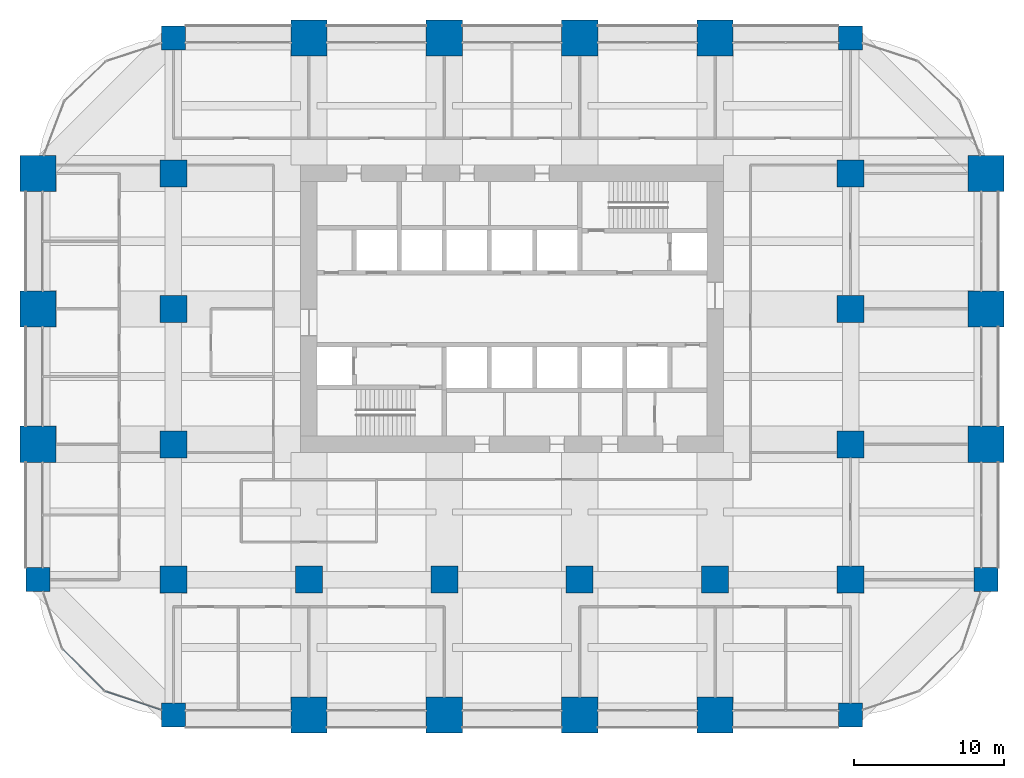
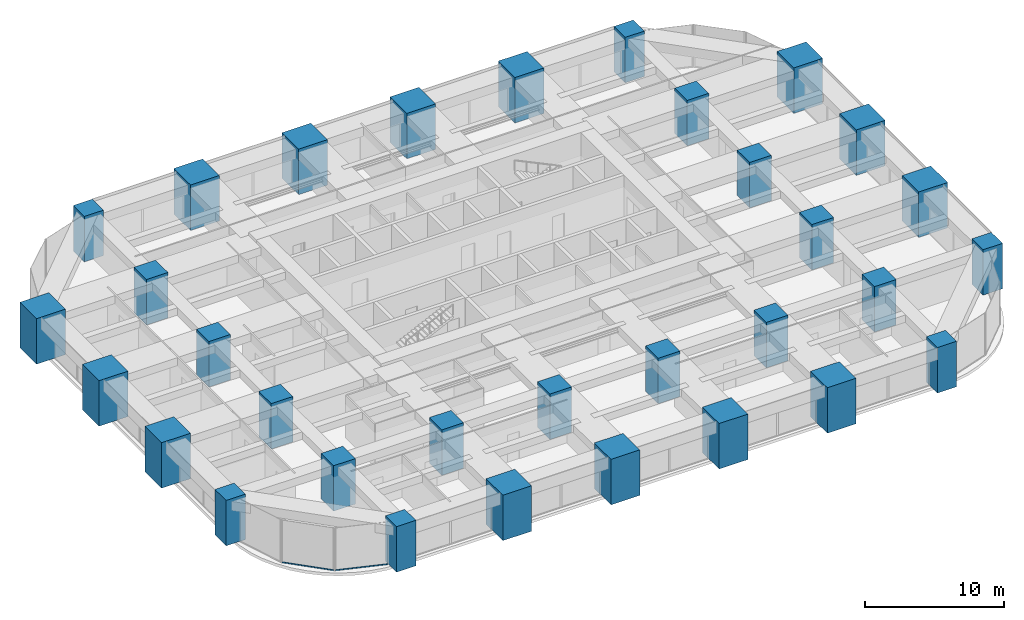
# One storey, part 1 of 43: 32 columns, 2 members, 2 elements without a shape of their own.
"""IFC4 building model written with IfcOpenShell, lengths in metres."""

from ifc_helpers import new_model, si_unit, direction, frame, origin, origin_2d, place, context, subcontext, project, spatial, rectangle, hollow_rectangle, extrude, material, material_profile, profile_set, type_object, element, aggregate, save


model = new_model("IFC4")

# Units and contexts
model_context = context("Model", 3, precision=1e-05, world=origin(), true_north=direction((0.0, 1.0)))
body_context = subcontext(model_context, "Body", "Model", "MODEL_VIEW")
ifc_project = project(units=[si_unit("LENGTHUNIT", "METRE"), si_unit("AREAUNIT", "SQUARE_METRE"), si_unit("VOLUMEUNIT", "CUBIC_METRE"), si_unit("PLANEANGLEUNIT", "RADIAN"), si_unit("MASSUNIT", "GRAM", prefix="KILO")], contexts=[model_context])

# Site, building, storey
site_placement = place(None, origin())
site = spatial("IfcSite", under=ifc_project, at=site_placement, CompositionType="ELEMENT")
building_placement = place(site_placement, origin())
building = spatial("IfcBuilding", under=site, at=building_placement, Name="Zorevar Civic Tower", CompositionType="ELEMENT")
storey_placement = place(building_placement, frame((0.0, 0.0, 145.0)))
storey = spatial("IfcBuildingStorey", under=building, at=storey_placement, Name="L35", CompositionType="ELEMENT", Elevation=145.0)

# Columns
ifc_material_1 = material(Name="Concrete C50/60", Category="concrete")
ifc_material_profile_1 = material_profile(ifc_material_1, rectangle(XDim=1.60009765625, YDim=1.60009765625, at=origin_2d()), Name="RC 1600x1600")
ifc_profile_set_1 = profile_set([ifc_material_profile_1], Name="Concrete C50/60")
column_type_1 = type_object("IfcColumnType", Name="Column RC 1600x1600", PredefinedType="COLUMN", material=ifc_profile_set_1)
for number, where, z_axis, x_axis, name in (
    (1, (0.0, 9.0, 0.0), (0.0, 0.0, 1.0), (1.0, 0.0, 0.0), "Column 2B L35"),
    (2, (9.0, 0.0, 0.0), (0.0, 0.0, 1.0), (1.0, 0.0, 0.0), "Column 3A L35"),
    (3, (9.0, 45.0, 0.0), (0.0, 0.0, 1.0), (1.0, 0.0, 0.0), "Column 3F L35"),
    (4, (54.0, 0.0, 0.0), (0.0, 0.0, 1.0), (1.0, 0.0, 0.0), "Column 8A L35"),
    (5, (54.0, 45.0, 0.0), (0.0, 0.0, 1.0), (1.0, 0.0, 0.0), "Column 8F L35"),
    (6, (63.0, 9.0, 0.0), (0.0, 0.0, 1.0), (1.0, 0.0, 0.0), "Column 9B L35"),
):
    element("IfcColumn", number, at=place(storey_placement, frame(where, z_axis=z_axis, x_axis=x_axis)), inside=storey, type_object=column_type_1, Name=name, PredefinedType="COLUMN", context=body_context, shape_type="SweptSolid", body=[
        extrude(rectangle(XDim=1.60009765625, YDim=1.60009765625, at=origin_2d()), origin(), (0.0, 0.0, 1.0), 4.0),
    ])
ifc_material_2 = material(Name="Concrete C50/60", Category="concrete")
ifc_material_profile_2 = material_profile(ifc_material_2, rectangle(XDim=1.800048828125, YDim=1.800048828125, at=origin_2d()), Name="RC 1800x1800")
ifc_profile_set_2 = profile_set([ifc_material_profile_2], Name="Concrete C50/60")
column_type_2 = type_object("IfcColumnType", Name="Column RC 1800x1800", PredefinedType="COLUMN", material=ifc_profile_set_2)
for number, where, z_axis, x_axis, name in (
    (7, (9.0, 9.0, 0.0), (0.0, 0.0, 1.0), (1.0, 0.0, 0.0), "Column 3B L35"),
    (8, (9.0, 18.0, 0.0), (0.0, 0.0, 1.0), (1.0, 0.0, 0.0), "Column 3C L35"),
    (9, (9.0, 27.0, 0.0), (0.0, 0.0, 1.0), (1.0, 0.0, 0.0), "Column 3D L35"),
    (10, (9.0, 36.0, 0.0), (0.0, 0.0, 1.0), (1.0, 0.0, 0.0), "Column 3E L35"),
    (11, (18.0, 9.0, 0.0), (0.0, 0.0, 1.0), (1.0, 0.0, 0.0), "Column 4B L35"),
    (12, (27.0, 9.0, 0.0), (0.0, 0.0, 1.0), (1.0, 0.0, 0.0), "Column 5B L35"),
    (13, (36.0, 9.0, 0.0), (0.0, 0.0, 1.0), (1.0, 0.0, 0.0), "Column 6B L35"),
    (14, (45.0, 9.0, 0.0), (0.0, 0.0, 1.0), (1.0, 0.0, 0.0), "Column 7B L35"),
    (15, (54.0, 9.0, 0.0), (0.0, 0.0, 1.0), (1.0, 0.0, 0.0), "Column 8B L35"),
    (16, (54.0, 18.0, 0.0), (0.0, 0.0, 1.0), (1.0, 0.0, 0.0), "Column 8C L35"),
    (17, (54.0, 27.0, 0.0), (0.0, 0.0, 1.0), (1.0, 0.0, 0.0), "Column 8D L35"),
    (18, (54.0, 36.0, 0.0), (0.0, 0.0, 1.0), (1.0, 0.0, 0.0), "Column 8E L35"),
):
    element("IfcColumn", number, at=place(storey_placement, frame(where, z_axis=z_axis, x_axis=x_axis)), inside=storey, type_object=column_type_2, Name=name, PredefinedType="COLUMN", context=body_context, shape_type="SweptSolid", body=[
        extrude(rectangle(XDim=1.800048828125, YDim=1.800048828125, at=origin_2d()), origin(), (0.0, 0.0, 1.0), 4.0),
    ])
ifc_material_3 = material(Name="Concrete C50/60", Category="concrete")
ifc_material_profile_3 = material_profile(ifc_material_3, rectangle(XDim=2.39990234375, YDim=2.39990234375, at=origin_2d()), Name="RC 2400x2400")
ifc_profile_set_3 = profile_set([ifc_material_profile_3], Name="Concrete C50/60")
column_type_3 = type_object("IfcColumnType", Name="Mega column RC 2400x2400", PredefinedType="COLUMN", material=ifc_profile_set_3)
for number, where, z_axis, x_axis, name in (
    (19, (0.0, 18.0, 0.0), (0.0, 0.0, 1.0), (1.0, 0.0, 0.0), "Column 2C L35"),
    (20, (0.0, 27.0, 0.0), (0.0, 0.0, 1.0), (1.0, 0.0, 0.0), "Column 2D L35"),
    (21, (0.0, 36.0, 0.0), (0.0, 0.0, 1.0), (1.0, 0.0, 0.0), "Column 2E L35"),
    (22, (18.0, 0.0, 0.0), (0.0, 0.0, 1.0), (1.0, 0.0, 0.0), "Column 4A L35"),
    (23, (18.0, 45.0, 0.0), (0.0, 0.0, 1.0), (1.0, 0.0, 0.0), "Column 4F L35"),
    (24, (27.0, 0.0, 0.0), (0.0, 0.0, 1.0), (1.0, 0.0, 0.0), "Column 5A L35"),
    (25, (27.0, 45.0, 0.0), (0.0, 0.0, 1.0), (1.0, 0.0, 0.0), "Column 5F L35"),
    (26, (36.0, 0.0, 0.0), (0.0, 0.0, 1.0), (1.0, 0.0, 0.0), "Column 6A L35"),
    (27, (36.0, 45.0, 0.0), (0.0, 0.0, 1.0), (1.0, 0.0, 0.0), "Column 6F L35"),
    (28, (45.0, 0.0, 0.0), (0.0, 0.0, 1.0), (1.0, 0.0, 0.0), "Column 7A L35"),
    (29, (45.0, 45.0, 0.0), (0.0, 0.0, 1.0), (1.0, 0.0, 0.0), "Column 7F L35"),
    (30, (63.0, 18.0, 0.0), (0.0, 0.0, 1.0), (1.0, 0.0, 0.0), "Column 9C L35"),
    (31, (63.0, 27.0, 0.0), (0.0, 0.0, 1.0), (1.0, 0.0, 0.0), "Column 9D L35"),
    (32, (63.0, 36.0, 0.0), (0.0, 0.0, 1.0), (1.0, 0.0, 0.0), "Column 9E L35"),
):
    element("IfcColumn", number, at=place(storey_placement, frame(where, z_axis=z_axis, x_axis=x_axis)), inside=storey, type_object=column_type_3, Name=name, PredefinedType="COLUMN", context=body_context, shape_type="SweptSolid", body=[
        extrude(rectangle(XDim=2.39990234375, YDim=2.39990234375, at=origin_2d()), origin(), (0.0, 0.0, 1.0), 4.0),
    ])

# Curtain wall, member
ifc_material_4 = material(Name="Dark grey solar-control glass in black aluminium frame", Category="aluminium")
curtain_wall_type = type_object("IfcCurtainWallType", Name="Curtain wall CW3 mid zone", PredefinedType="NOTDEFINED", material=ifc_material_4)
curtain_wall_1_placement = place(storey_placement, origin())
curtain_wall_1 = element("IfcCurtainWall", 33, at=curtain_wall_1_placement, inside=storey, type_object=curtain_wall_type, Name="CW3 L35", PredefinedType="NOTDEFINED")
ifc_material_5 = material(Name="Aluminium, black anodised", Category="aluminium")
ifc_material_profile_4 = material_profile(ifc_material_5, hollow_rectangle(XDim=0.06005859375, YDim=0.1201171875, WallThickness=0.0029296875, at=origin_2d()), Name="AL 120x60x3")
ifc_profile_set_4 = profile_set([ifc_material_profile_4], Name="Aluminium, black anodised")
member_type = type_object("IfcMemberType", Name="CW3 transom AL 120x60x3", PredefinedType="USERDEFINED", material=ifc_profile_set_4)
member_1_placement = place(storey_placement, frame((1.64501953125, 4.37841796875, 0.030029296875), z_axis=(0.707106781187, -0.707106781187, 0.0), x_axis=(0.707106781187, 0.707106781187, 0.0)))
member_1 = element("IfcMember", 34, at=member_1_placement, type_object=member_type, Name="CW3 sill transom", ObjectType="TRANSOM", PredefinedType="USERDEFINED", context=body_context, shape_type="SweptSolid", body=[
    extrude(hollow_rectangle(XDim=0.06005859375, YDim=0.1201171875, WallThickness=0.0029296875, at=origin_2d()), origin(), (0.0, 0.0, 1.0), 3.86572265625),
])
aggregate(curtain_wall_1, [member_1])

curtain_wall_2_placement = place(storey_placement, origin())
curtain_wall_2 = element("IfcCurtainWall", 35, at=curtain_wall_2_placement, inside=storey, type_object=curtain_wall_type, Name="CW3 L35", PredefinedType="NOTDEFINED")
member_2_placement = place(storey_placement, frame((4.477783203125, 1.583740234375, 0.030029296875), z_axis=(0.94821488093, -0.317629563458, 0.0), x_axis=(0.317629563458, 0.94821488093, 0.0)))
member_2 = element("IfcMember", 36, at=member_2_placement, type_object=member_type, Name="CW3 sill transom", ObjectType="TRANSOM", PredefinedType="USERDEFINED", context=body_context, shape_type="SweptSolid", body=[
    extrude(hollow_rectangle(XDim=0.06005859375, YDim=0.1201171875, WallThickness=0.0029296875, at=origin_2d()), origin(), (0.0, 0.0, 1.0), 3.865478515625),
])
aggregate(curtain_wall_2, [member_2])

save(model, "model.ifc")
